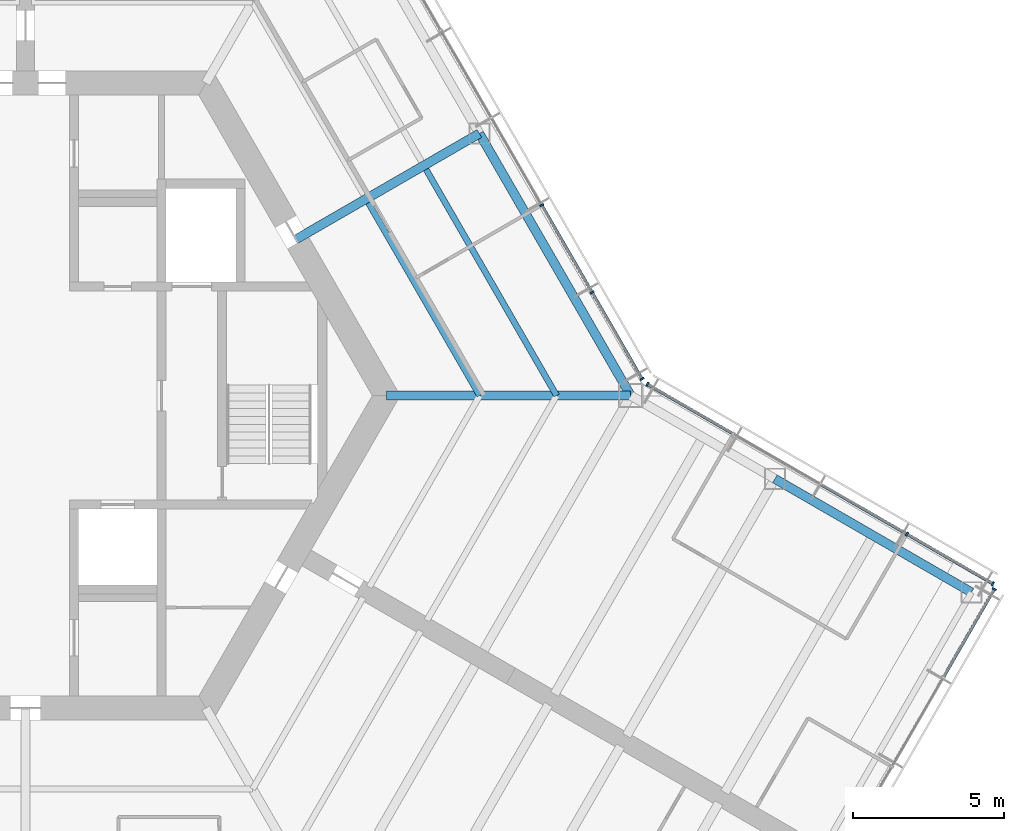
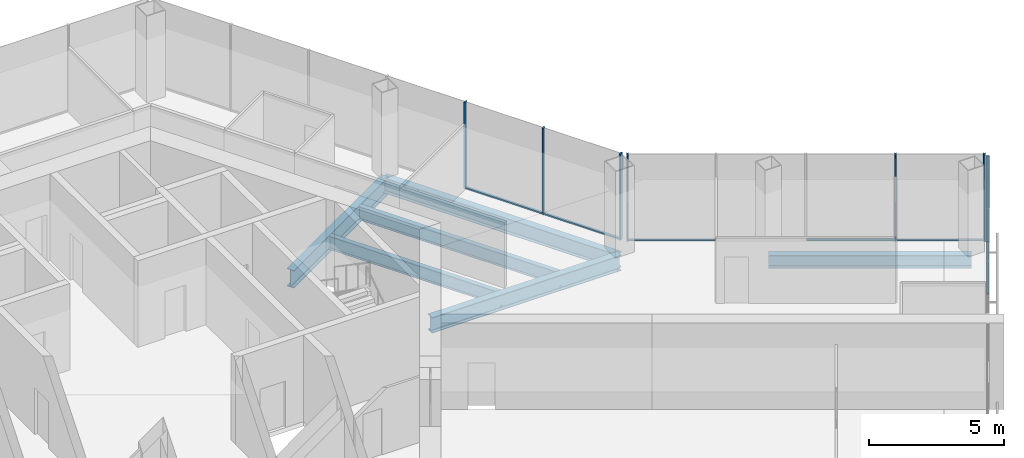
# One storey, part 5 of 16: 13 members, 6 beams, 3 elements without a shape of their own.
"""IFC4 building model written with IfcOpenShell, lengths in metres."""

import ifcopenshell
import ifcopenshell.guid

model = None  # the IFC model being written
_history = None  # IfcOwnerHistory: only IFC2X3 demands one
_inside = {}  # id of a spatial element -> (the spatial element, [elements in it])
_under = {}  # id of a project, library or spatial element -> (it, [spatial elements below it])
_declared = {}  # id of a project -> (the project, [libraries it declares])
_typed = {}  # id of a type object -> (the type object, [elements of that type])
_made_of = {}  # id of a material, layer set ... -> (it, [elements and type objects made of it])


def new_model(schema):
    """Start an empty IFC model of exactly this schema.

    Asked for "IFC4X3", IfcOpenShell would pick the latest addendum, in which some entities
    have other attributes; the version numbers below select the first issue.
    IFC2X3 requires an IfcOwnerHistory on every rooted entity: one is made here for all.
    """
    global model, _history
    if schema == "IFC4X3":
        model = ifcopenshell.file(schema_version=(4, 3, 0, 0))
    else:
        model = ifcopenshell.file(schema=schema)
    _inside.clear()
    _under.clear()
    _declared.clear()
    _typed.clear()
    _made_of.clear()
    _history = None
    if model.schema == "IFC2X3":
        org = make("IfcOrganization", Name="unknown")
        user = make(
            "IfcPersonAndOrganization",
            ThePerson=make("IfcPerson", FamilyName="unknown"),
            TheOrganization=org,
        )
        app = make(
            "IfcApplication",
            ApplicationDeveloper=org,
            Version="unknown",
            ApplicationFullName="unknown",
            ApplicationIdentifier="unknown",
        )
        _history = make(
            "IfcOwnerHistory",
            OwningUser=user,
            OwningApplication=app,
            ChangeAction="ADDED",
            CreationDate=0,
        )
    return model


def make(cls, **values):
    """One entity of the class cls with the attributes given. An attribute that is None is left unset."""
    return model.create_entity(
        cls, **{name: value for name, value in values.items() if value is not None}
    )


def rooted(cls, **values):
    """An entity with a GlobalId (a new one), such as an element, a storey or a relation."""
    return make(cls, GlobalId=ifcopenshell.guid.new(), OwnerHistory=_history, **values)


def si_unit(unit_type, name, prefix=None):
    """IfcSIUnit, for example si_unit("LENGTHUNIT", "METRE", prefix="MILLI")."""
    return make("IfcSIUnit", UnitType=unit_type, Prefix=prefix, Name=name)


def assignment(units):
    """IfcUnitAssignment: the units of a project."""
    return None if units is None else make("IfcUnitAssignment", Units=units)


def point(xyz):
    """IfcCartesianPoint."""
    return None if xyz is None else make("IfcCartesianPoint", Coordinates=xyz)


def direction(xyz):
    """IfcDirection."""
    return None if xyz is None else make("IfcDirection", DirectionRatios=xyz)


def frame(location, z_axis=None, x_axis=None):
    """IfcAxis2Placement3D, a coordinate frame: its origin and axes. An axis left out is left unset."""
    return make(
        "IfcAxis2Placement3D",
        Location=point(location),
        Axis=direction(z_axis),
        RefDirection=direction(x_axis),
    )


def frame_2d(location, x_axis=None):
    """IfcAxis2Placement2D, a coordinate frame in the plane: its origin and x axis."""
    return make(
        "IfcAxis2Placement2D", Location=point(location), RefDirection=direction(x_axis)
    )


def origin():
    """The frame at (0, 0, 0) with its axes left unset."""
    return frame((0.0, 0.0, 0.0))


def origin_2d():
    """The frame at (0, 0) in the plane with its x axis left unset."""
    return frame_2d((0.0, 0.0))


def place(relative_to, where):
    """IfcLocalPlacement: puts the frame where relative to a parent placement (None: the world)."""
    return make(
        "IfcLocalPlacement", PlacementRelTo=relative_to, RelativePlacement=where
    )


def context(
    kind, dimensions, precision=None, world=None, true_north=None, identifier=None
):
    """IfcGeometricRepresentationContext, for example the 3D "Model" context."""
    return make(
        "IfcGeometricRepresentationContext",
        ContextIdentifier=identifier,
        ContextType=kind,
        CoordinateSpaceDimension=dimensions,
        Precision=precision,
        WorldCoordinateSystem=world,
        TrueNorth=true_north,
    )


def subcontext(parent, identifier, kind, view, scale=None):
    """IfcGeometricRepresentationSubContext, for example "Body" below "Model"."""
    return make(
        "IfcGeometricRepresentationSubContext",
        ContextIdentifier=identifier,
        ContextType=kind,
        ParentContext=parent,
        TargetScale=scale,
        TargetView=view,
    )


def project(units=None, contexts=None):
    """IfcProject with its units and contexts."""
    return rooted(
        "IfcProject",
        Name="project",
        RepresentationContexts=contexts,
        UnitsInContext=assignment(units),
    )


def spatial(cls, under=None, at=None, **own):
    """A site, building, storey or space (cls), placed at a placement, below another one or the project."""
    s = rooted(cls, ObjectPlacement=at, **own)
    if under is not None:
        _under.setdefault(under.id(), (under, []))[1].append(s)
    return s


def profile(cls, at=None, kind="AREA", **sizes):
    """A parametric profile (cls). Its sizes go by their IFC names, for example OverallWidth=200.0."""
    return make(cls, ProfileType=kind, Position=at, **sizes)


def rectangle(**sizes):
    """IfcRectangleProfileDef."""
    return profile("IfcRectangleProfileDef", **sizes)


def i_section(**sizes):
    """IfcIShapeProfileDef."""
    return profile("IfcIShapeProfileDef", **sizes)


def extrude(swept, where, along, depth):
    """IfcExtrudedAreaSolid: the profile swept, set in the frame where, extruded along a direction by depth."""
    return make(
        "IfcExtrudedAreaSolid",
        SweptArea=swept,
        Position=where,
        ExtrudedDirection=direction(along),
        Depth=depth,
    )


def shape(context_of_items, identifier, shape_type, items):
    """IfcShapeRepresentation: the items that make up one representation, for example the "Body"."""
    return make(
        "IfcShapeRepresentation",
        ContextOfItems=context_of_items,
        RepresentationIdentifier=identifier,
        RepresentationType=shape_type,
        Items=items,
    )


def material(Name=None, Category=None):
    """IfcMaterial."""
    return make("IfcMaterial", Name=Name, Category=Category)


def material_profile(
    of_material, cross_section, Name=None, Category=None, Priority=None
):
    """IfcMaterialProfile: a cross section and its material."""
    return make(
        "IfcMaterialProfile",
        Name=Name,
        Material=of_material,
        Profile=cross_section,
        Priority=Priority,
        Category=Category,
    )


def profile_set(profiles, Name=None, composite=None):
    """IfcMaterialProfileSet."""
    return make(
        "IfcMaterialProfileSet",
        Name=Name,
        MaterialProfiles=profiles,
        CompositeProfile=composite,
    )


def made_of(thing, what):
    """Note that an element or type object is made of a material, layer set ...; save() writes the relation."""
    if what is not None:
        _made_of.setdefault(what.id(), (what, []))[1].append(thing)
    return thing


def type_object(cls, material=None, **own):
    """A type object (cls), such as IfcWallType, which elements share."""
    return made_of(rooted(cls, **own), material)


def element(
    cls,
    number,
    at=None,
    inside=None,
    cuts=None,
    type_object=None,
    material=None,
    context=None,
    identifier="Body",
    shape_type=None,
    held_by="IfcProductDefinitionShape",
    body=None,
    shapes=None,
    **own,
):
    """One element of the class cls, such as IfcWall. Its Tag is "e" and its number.

    at: its placement. inside: the storey or other place that contains it. cuts: it is an
    opening in that element (IfcRelVoidsElement). A single representation is given by context,
    identifier, shape_type and body (its items); several are given by shapes. held_by: the class
    of the entity that holds the representations. save() writes the other relations.
    """
    e = rooted(cls, Tag="e%d" % number, ObjectPlacement=at, **own)
    if body is not None:
        shapes = [shape(context, identifier, shape_type, body)]
    if shapes is not None:
        e.Representation = make(held_by, Representations=shapes)
    if inside is not None:
        _inside.setdefault(inside.id(), (inside, []))[1].append(e)
    if cuts is not None:
        rooted(
            "IfcRelVoidsElement", RelatingBuildingElement=cuts, RelatedOpeningElement=e
        )
    if type_object is not None:
        _typed.setdefault(type_object.id(), (type_object, []))[1].append(e)
    return made_of(e, material)


def aggregate(whole, parts):
    """IfcRelAggregates: a whole, such as a stair, and the parts it consists of."""
    return rooted("IfcRelAggregates", RelatingObject=whole, RelatedObjects=parts)


def save(model, path):
    """Write the relations noted so far, then the file.

    IfcRelAggregates (storeys below a building ...), IfcRelContainedInSpatialStructure (elements
    in a storey), IfcRelDefinesByType, IfcRelAssociatesMaterial and IfcRelDeclares: one each for
    every whole, place, type object, material and project.
    """
    for whole, parts in _under.values():
        aggregate(whole, parts)
    for where, things in _inside.values():
        rooted(
            "IfcRelContainedInSpatialStructure",
            RelatedElements=things,
            RelatingStructure=where,
        )
    for kind, things in _typed.values():
        rooted("IfcRelDefinesByType", RelatedObjects=things, RelatingType=kind)
    for what, things in _made_of.values():
        rooted("IfcRelAssociatesMaterial", RelatedObjects=things, RelatingMaterial=what)
    for by, libraries in _declared.values():
        rooted("IfcRelDeclares", RelatingContext=by, RelatedDefinitions=libraries)
    model.write(path)


model = new_model("IFC4")

# Units and contexts
model_context = context("Model", 3, precision=1e-05, world=origin(), true_north=direction((0.0, 1.0)))
body_context = subcontext(model_context, "Body", "Model", "MODEL_VIEW")
ifc_project = project(units=[si_unit("LENGTHUNIT", "METRE"), si_unit("AREAUNIT", "SQUARE_METRE"), si_unit("VOLUMEUNIT", "CUBIC_METRE"), si_unit("PLANEANGLEUNIT", "RADIAN"), si_unit("MASSUNIT", "GRAM", prefix="KILO")], contexts=[model_context])

# Site, building, storey
site_placement = place(None, origin())
site = spatial("IfcSite", under=ifc_project, at=site_placement, CompositionType="ELEMENT")
building_placement = place(site_placement, origin())
building = spatial("IfcBuilding", under=site, at=building_placement, Name="Kasaneha Research Tower", CompositionType="ELEMENT")
storey_placement = place(building_placement, frame((0.0, 0.0, 259.60009765625)))
storey = spatial("IfcBuildingStorey", under=building, at=storey_placement, Name="L65", CompositionType="ELEMENT", Elevation=259.60009765625)

# Beams
ifc_material_1 = material(Name="Steel SN490B", Category="steel")
ifc_material_profile_1 = material_profile(ifc_material_1, i_section(OverallWidth=0.199951171875, OverallDepth=0.60009765625, WebThickness=0.010986328125, FlangeThickness=0.01708984375, FilletRadius=0.012939453125, at=origin_2d()), Name="H-600x200x11x17")
ifc_profile_set_1 = profile_set([ifc_material_profile_1], Name="Steel SN490B")
beam_type_1 = type_object("IfcBeamType", Name="B1-3 secondary beam H-600x200x11x17", PredefinedType="JOIST", material=ifc_profile_set_1)
beam_1_placement = place(storey_placement, frame((15.010986328125, 0.0, -0.4501953125), z_axis=(-0.499994443168, 0.866028611999, 0.0), x_axis=(-0.866028611999, -0.499994443168, 0.0)))
element("IfcBeam", 1, at=beam_1_placement, inside=storey, type_object=beam_type_1, Name="Secondary beam RS030L1 L65", PredefinedType="JOIST", context=body_context, shape_type="SweptSolid", body=[
    extrude(i_section(OverallWidth=0.199951171875, OverallDepth=0.60009765625, WebThickness=0.010986328125, FlangeThickness=0.01708984375, FilletRadius=0.012939453125, at=origin_2d()), origin(), (0.0, 0.0, 1.0), 7.35546875),
])
beam_2_placement = place(storey_placement, frame((17.551513671875, 0.0, -0.4501953125), z_axis=(-0.5000050195, 0.866022505755, 0.0), x_axis=(-0.866022505755, -0.5000050195, 0.0)))
element("IfcBeam", 2, at=beam_2_placement, inside=storey, type_object=beam_type_1, Name="Secondary beam RS030L2 L65", PredefinedType="JOIST", context=body_context, shape_type="SweptSolid", body=[
    extrude(i_section(OverallWidth=0.199951171875, OverallDepth=0.60009765625, WebThickness=0.010986328125, FlangeThickness=0.01708984375, FilletRadius=0.012939453125, at=origin_2d()), origin(), (0.0, 0.0, 1.0), 8.6259765625),
])

# Curtain wall, members
ifc_material_2 = material(Name="Glass and aluminium", Category="aluminium")
curtain_wall_type = type_object("IfcCurtainWallType", Name="High-rise office curtain wall", PredefinedType="USERDEFINED", material=ifc_material_2)
curtain_wall_1_placement = place(storey_placement, origin())
curtain_wall_1 = element("IfcCurtainWall", 3, at=curtain_wall_1_placement, inside=storey, type_object=curtain_wall_type, Name="CW-O3 L65 run 01a", ObjectType="UNITISED CURTAIN WALL", PredefinedType="USERDEFINED")
ifc_material_3 = material(Name="Aluminium 6063-T6", Category="aluminium")
ifc_material_profile_2 = material_profile(ifc_material_3, rectangle(XDim=0.06005859375, YDim=0.139892578125, at=origin_2d()), Name="CW-O3 mullion 60x140")
ifc_profile_set_2 = profile_set([ifc_material_profile_2], Name="Aluminium 6063-T6")
member_type_1 = type_object("IfcMemberType", Name="CW-O3 mullion", PredefinedType="MULLION", material=ifc_profile_set_2)
member_1_placement = place(storey_placement, frame((20.374267578125, 0.5517578125, 0.0), z_axis=(0.0, 0.0, 1.0), x_axis=(-0.499999979232, 0.866025415775, 0.0)))
member_1 = element("IfcMember", 4, at=member_1_placement, type_object=member_type_1, Name="CW-O3 mullion 1", PredefinedType="MULLION", context=body_context, shape_type="SweptSolid", body=[
    extrude(rectangle(XDim=0.06005859375, YDim=0.139892578125, at=origin_2d()), origin(), (0.0, 0.0, 1.0), 3.89990234375),
])
member_2_placement = place(storey_placement, frame((18.723876953125, 3.410400390625, 0.0), z_axis=(0.0, 0.0, 1.0), x_axis=(-0.499999979232, 0.866025415775, 0.0)))
member_2 = element("IfcMember", 5, at=member_2_placement, type_object=member_type_1, Name="CW-O3 mullion 2", PredefinedType="MULLION", context=body_context, shape_type="SweptSolid", body=[
    extrude(rectangle(XDim=0.06005859375, YDim=0.139892578125, at=origin_2d()), origin(), (0.0, 0.0, 1.0), 3.89990234375),
])
member_3_placement = place(storey_placement, frame((17.058349609375, 6.295166015625, 0.0), z_axis=(0.0, 0.0, 1.0), x_axis=(-0.499999979232, 0.866025415775, 0.0)))
member_3 = element("IfcMember", 6, at=member_3_placement, type_object=member_type_1, Name="CW-O3 mullion 3", PredefinedType="MULLION", context=body_context, shape_type="SweptSolid", body=[
    extrude(rectangle(XDim=0.06005859375, YDim=0.139892578125, at=origin_2d()), origin(), (0.0, 0.0, 1.0), 3.89990234375),
])

# Curtain wall, member
curtain_wall_2_placement = place(storey_placement, origin())
curtain_wall_2 = element("IfcCurtainWall", 7, at=curtain_wall_2_placement, inside=storey, type_object=curtain_wall_type, Name="CW-O3 L65 run 08a", ObjectType="UNITISED CURTAIN WALL", PredefinedType="USERDEFINED")
member_4_placement = place(storey_placement, frame((32.012939453125, -6.39306640625, 0.0), z_axis=(0.0, 0.0, 1.0), x_axis=(0.500000011442, 0.866025397178, 0.0)))
member_4 = element("IfcMember", 8, at=member_4_placement, type_object=member_type_1, Name="CW-O3 mullion 4", PredefinedType="MULLION", context=body_context, shape_type="SweptSolid", body=[
    extrude(rectangle(XDim=0.06005859375, YDim=0.139892578125, at=origin_2d()), origin(), (0.0, 0.0, 1.0), 3.89990234375),
])

# Curtain wall, members
curtain_wall_3_placement = place(storey_placement, origin())
curtain_wall_3 = element("IfcCurtainWall", 9, at=curtain_wall_3_placement, inside=storey, type_object=curtain_wall_type, Name="CW-O3 L65 run 09a", ObjectType="UNITISED CURTAIN WALL", PredefinedType="USERDEFINED")
member_5_placement = place(storey_placement, frame((31.96533203125, -6.21533203125, 0.0), z_axis=(0.0, 0.0, 1.0), x_axis=(-0.866025411464, 0.499999986699, 0.0)))
member_5 = element("IfcMember", 10, at=member_5_placement, type_object=member_type_1, Name="CW-O3 mullion 1", PredefinedType="MULLION", context=body_context, shape_type="SweptSolid", body=[
    extrude(rectangle(XDim=0.06005859375, YDim=0.139892578125, at=origin_2d()), origin(), (0.0, 0.0, 1.0), 3.89990234375),
])
member_6_placement = place(storey_placement, frame((29.125, -4.575439453125, 0.0), z_axis=(0.0, 0.0, 1.0), x_axis=(-0.866025411464, 0.499999986699, 0.0)))
member_6 = element("IfcMember", 11, at=member_6_placement, type_object=member_type_1, Name="CW-O3 mullion 2", PredefinedType="MULLION", context=body_context, shape_type="SweptSolid", body=[
    extrude(rectangle(XDim=0.06005859375, YDim=0.139892578125, at=origin_2d()), origin(), (0.0, 0.0, 1.0), 3.89990234375),
])
member_7_placement = place(storey_placement, frame((20.5517578125, 0.374267578125, 0.0), z_axis=(0.0, 0.0, 1.0), x_axis=(-0.866025411464, 0.499999986699, 0.0)))
member_7 = element("IfcMember", 12, at=member_7_placement, type_object=member_type_1, Name="CW-O3 mullion 5", PredefinedType="MULLION", context=body_context, shape_type="SweptSolid", body=[
    extrude(rectangle(XDim=0.06005859375, YDim=0.139892578125, at=origin_2d()), origin(), (0.0, 0.0, 1.0), 3.89990234375),
])

# Member
ifc_material_4 = material(Name="Aluminium 6063-T6", Category="aluminium")
ifc_material_profile_3 = material_profile(ifc_material_4, rectangle(XDim=0.10009765625, YDim=0.06005859375, at=origin_2d()), Name="CW-O3 transom 100x60")
ifc_profile_set_3 = profile_set([ifc_material_profile_3], Name="Aluminium 6063-T6")
member_type_2 = type_object("IfcMemberType", Name="CW-O3 transom", PredefinedType="USERDEFINED", material=ifc_profile_set_3)
member_8_placement = place(storey_placement, frame((20.359130859375, 0.577880859375, 0.02978515625), z_axis=(-0.499987643696, 0.866032537582, 0.0), x_axis=(-0.866032537582, -0.499987643696, 0.0)))
member_8 = element("IfcMember", 13, at=member_8_placement, type_object=member_type_2, Name="CW-O3 transom 1", ObjectType="TRANSOM", PredefinedType="USERDEFINED", context=body_context, shape_type="SweptSolid", body=[
    extrude(rectangle(XDim=0.10009765625, YDim=0.06005859375, at=origin_2d()), origin(), (0.0, 0.0, 1.0), 3.24072265625),
])

member_9_placement = place(storey_placement, frame((18.708740234375, 3.4365234375, 0.02978515625), z_axis=(-0.500000270186, 0.866025247793, 0.0), x_axis=(-0.866025247793, -0.500000270186, 0.0)))
member_9 = element("IfcMember", 14, at=member_9_placement, type_object=member_type_2, Name="CW-O3 transom 2", ObjectType="TRANSOM", PredefinedType="USERDEFINED", context=body_context, shape_type="SweptSolid", body=[
    extrude(rectangle(XDim=0.10009765625, YDim=0.06005859375, at=origin_2d()), origin(), (0.0, 0.0, 1.0), 3.27099609375),
])

aggregate(curtain_wall_1, [member_1, member_2, member_3, member_8, member_9])

member_10_placement = place(storey_placement, frame((30.343017578125, -9.285400390625, 0.02978515625), z_axis=(0.500018282537, 0.866014848099, 0.0), x_axis=(-0.866014848099, 0.500018282537, 0.0)))
member_10 = element("IfcMember", 15, at=member_10_placement, type_object=member_type_2, Name="CW-O3 transom 3", ObjectType="TRANSOM", PredefinedType="USERDEFINED", context=body_context, shape_type="SweptSolid", body=[
    extrude(rectangle(XDim=0.10009765625, YDim=0.06005859375, at=origin_2d()), origin(), (0.0, 0.0, 1.0), 3.31005859375),
])

aggregate(curtain_wall_2, [member_4, member_10])

member_11_placement = place(storey_placement, frame((31.939453125, -6.200439453125, 0.02978515625), z_axis=(-0.866041647767, 0.499971863542, 0.0), x_axis=(-0.499971863542, -0.866041647767, 0.0)))
member_11 = element("IfcMember", 16, at=member_11_placement, type_object=member_type_2, Name="CW-O3 transom 1", ObjectType="TRANSOM", PredefinedType="USERDEFINED", context=body_context, shape_type="SweptSolid", body=[
    extrude(rectangle(XDim=0.10009765625, YDim=0.06005859375, at=origin_2d()), origin(), (0.0, 0.0, 1.0), 3.219970703125),
])

member_12_placement = place(storey_placement, frame((29.098876953125, -4.560546875, 0.02978515625), z_axis=(-0.86599666273, 0.500049777664, 0.0), x_axis=(-0.500049777664, -0.86599666273, 0.0)))
member_12 = element("IfcMember", 17, at=member_12_placement, type_object=member_type_2, Name="CW-O3 transom 2", ObjectType="TRANSOM", PredefinedType="USERDEFINED", context=body_context, shape_type="SweptSolid", body=[
    extrude(rectangle(XDim=0.10009765625, YDim=0.06005859375, at=origin_2d()), origin(), (0.0, 0.0, 1.0), 3.249755859375),
])

member_13_placement = place(storey_placement, frame((23.3662109375, -1.250732421875, 0.02978515625), z_axis=(-0.866022692473, 0.500004696101, 0.0), x_axis=(-0.500004696101, -0.866022692473, 0.0)))
member_13 = element("IfcMember", 18, at=member_13_placement, type_object=member_type_2, Name="CW-O3 transom 4", ObjectType="TRANSOM", PredefinedType="USERDEFINED", context=body_context, shape_type="SweptSolid", body=[
    extrude(rectangle(XDim=0.10009765625, YDim=0.06005859375, at=origin_2d()), origin(), (0.0, 0.0, 1.0), 3.2197265625),
])

aggregate(curtain_wall_3, [member_5, member_6, member_7, member_11, member_12, member_13])

# Beams
ifc_material_5 = material(Name="Steel SN490B", Category="steel")
ifc_material_profile_4 = material_profile(ifc_material_5, i_section(OverallWidth=0.300048828125, OverallDepth=0.699951171875, WebThickness=0.012939453125, FlangeThickness=0.02392578125, FilletRadius=0.01806640625, at=origin_2d()), Name="H-700x300x13x24")
ifc_profile_set_4 = profile_set([ifc_material_profile_4], Name="Steel SN490B")
beam_type_2 = type_object("IfcBeamType", Name="G1-3 radial girder H-700x300x13x24", PredefinedType="BEAM", material=ifc_profile_set_4)
beam_3_placement = place(storey_placement, frame((11.92236328125, 0.0, -0.5), z_axis=(1.0, 0.0, 0.0), x_axis=(0.0, 1.0, 0.0)))
element("IfcBeam", 19, at=beam_3_placement, inside=storey, type_object=beam_type_2, Name="Radial girder RV000 L65", PredefinedType="BEAM", context=body_context, shape_type="SweptSolid", body=[
    extrude(i_section(OverallWidth=0.300048828125, OverallDepth=0.699951171875, WebThickness=0.012939453125, FlangeThickness=0.02392578125, FilletRadius=0.01806640625, at=origin_2d()), origin(), (0.0, 0.0, 1.0), 8.07763671875),
])
ifc_material_6 = material(Name="Steel SN490B", Category="steel")
ifc_material_profile_5 = material_profile(ifc_material_6, i_section(OverallWidth=0.300048828125, OverallDepth=0.800048828125, WebThickness=0.013916015625, FlangeThickness=0.02587890625, FilletRadius=0.01806640625, at=origin_2d()), Name="H-800x300x14x26")
ifc_profile_set_5 = profile_set([ifc_material_profile_5], Name="Steel SN490B")
beam_type_3 = type_object("IfcBeamType", Name="G2-3 radial girder H-800x300x14x26", PredefinedType="BEAM", material=ifc_profile_set_5)
beam_4_placement = place(storey_placement, frame((8.941650390625, 5.16259765625, -0.550048828125), z_axis=(0.866039713508, 0.499975214012, 0.0), x_axis=(-0.499975214012, 0.866039713508, 0.0)))
element("IfcBeam", 20, at=beam_4_placement, inside=storey, type_object=beam_type_3, Name="Radial girder RM030 L65", PredefinedType="BEAM", context=body_context, shape_type="SweptSolid", body=[
    extrude(i_section(OverallWidth=0.300048828125, OverallDepth=0.800048828125, WebThickness=0.013916015625, FlangeThickness=0.02587890625, FilletRadius=0.01806640625, at=origin_2d()), origin(), (0.0, 0.0, 1.0), 6.995361328125),
])
ifc_material_7 = material(Name="Steel SN490B", Category="steel")
ifc_material_profile_6 = material_profile(ifc_material_7, i_section(OverallWidth=0.300048828125, OverallDepth=0.69189453125, WebThickness=0.012939453125, FlangeThickness=0.02001953125, FilletRadius=0.01806640625, at=origin_2d()), Name="H-692x300x13x20")
ifc_profile_set_6 = profile_set([ifc_material_profile_6], Name="Steel SN490B")
beam_type_4 = type_object("IfcBeamType", Name="SB1-3 spandrel beam H-692x300x13x20", PredefinedType="SPANDREL", material=ifc_profile_set_6)
beam_5_placement = place(storey_placement, frame((20.0, 0.0, -0.49609375), z_axis=(-0.500004234368, 0.866022959057, 0.0), x_axis=(-0.866022959057, -0.500004234368, 0.0)))
element("IfcBeam", 21, at=beam_5_placement, inside=storey, type_object=beam_type_4, Name="Spandrel beam SR030L L65", PredefinedType="SPANDREL", context=body_context, shape_type="SweptSolid", body=[
    extrude(i_section(OverallWidth=0.300048828125, OverallDepth=0.69189453125, WebThickness=0.012939453125, FlangeThickness=0.02001953125, FilletRadius=0.01806640625, at=origin_2d()), origin(), (0.0, 0.0, 1.0), 10.0),
])
ifc_material_8 = material(Name="Steel SN490B", Category="steel")
ifc_material_profile_7 = material_profile(ifc_material_8, i_section(OverallWidth=0.300048828125, OverallDepth=0.58203125, WebThickness=0.011962890625, FlangeThickness=0.01708984375, FilletRadius=0.012939453125, at=origin_2d()), Name="H-582x300x12x17")
ifc_profile_set_7 = profile_set([ifc_material_profile_7], Name="Steel SN490B")
beam_type_5 = type_object("IfcBeamType", Name="SB2-3 spandrel beam H-582x300x12x17", PredefinedType="SPANDREL", material=ifc_profile_set_7)
beam_6_placement = place(storey_placement, frame((24.76318359375, -2.75, -0.441162109375), z_axis=(0.866022959057, -0.500004234368, 0.0), x_axis=(0.500004234368, 0.866022959057, 0.0)))
element("IfcBeam", 22, at=beam_6_placement, inside=storey, type_object=beam_type_5, Name="Spandrel beam WSCN2 L65", PredefinedType="SPANDREL", context=body_context, shape_type="SweptSolid", body=[
    extrude(i_section(OverallWidth=0.300048828125, OverallDepth=0.58203125, WebThickness=0.011962890625, FlangeThickness=0.01708984375, FilletRadius=0.012939453125, at=origin_2d()), origin(), (0.0, 0.0, 1.0), 7.5),
])

save(model, "model.ifc")
